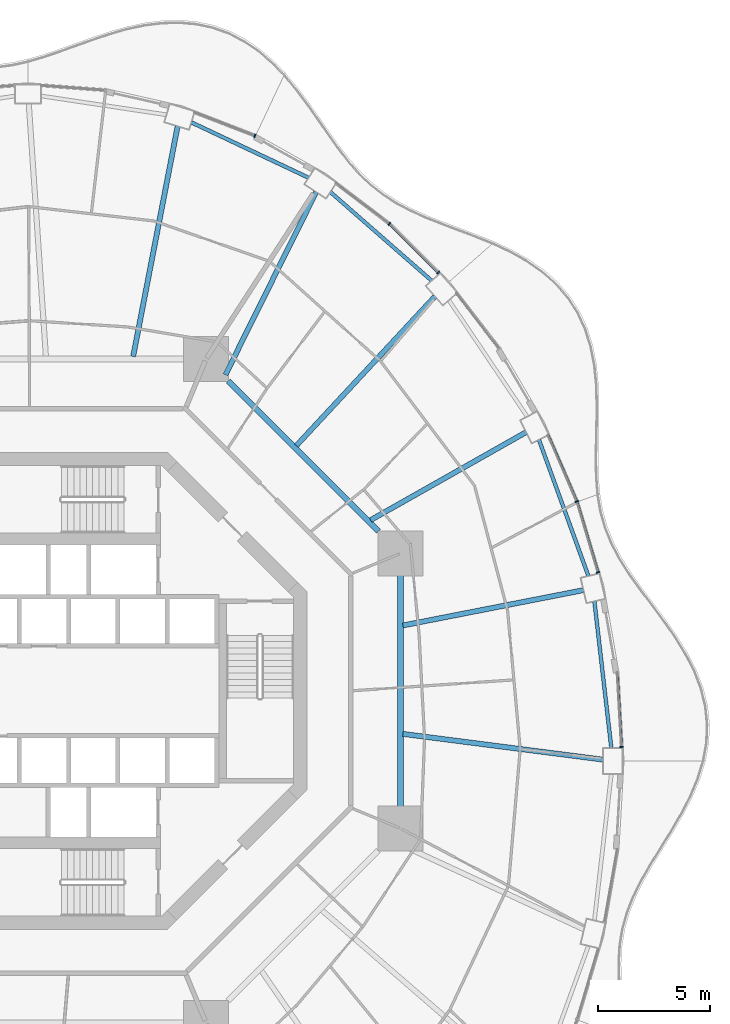
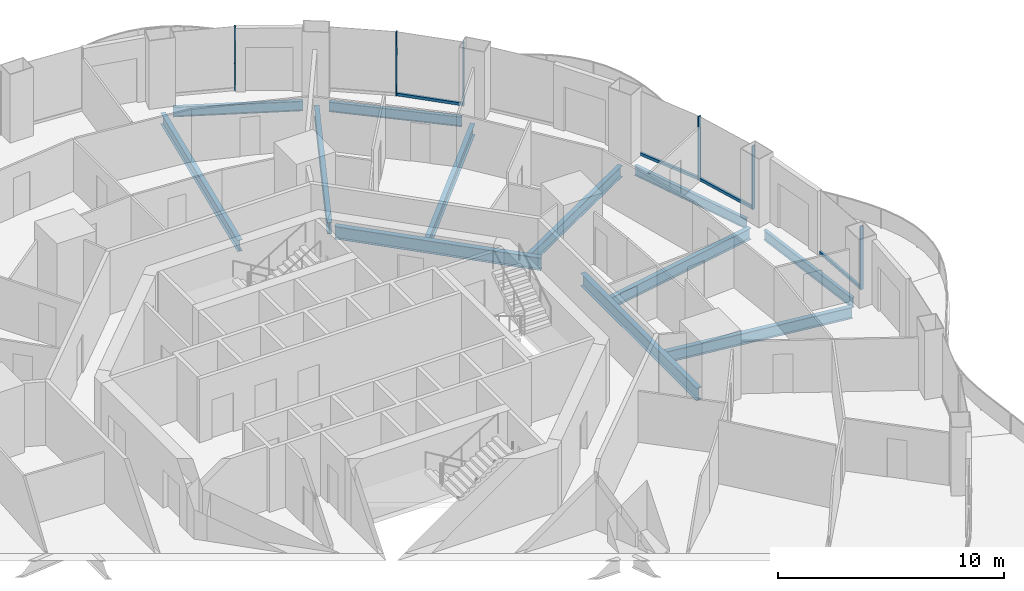
# One storey, part 8 of 20: 12 beams, 10 members, 6 elements without a shape of their own.
"""IFC4 building model written with IfcOpenShell, lengths in metres."""

import ifcopenshell
import ifcopenshell.guid

model = None  # the IFC model being written
_history = None  # IfcOwnerHistory: only IFC2X3 demands one
_inside = {}  # id of a spatial element -> (the spatial element, [elements in it])
_under = {}  # id of a project, library or spatial element -> (it, [spatial elements below it])
_declared = {}  # id of a project -> (the project, [libraries it declares])
_typed = {}  # id of a type object -> (the type object, [elements of that type])
_made_of = {}  # id of a material, layer set ... -> (it, [elements and type objects made of it])


def new_model(schema):
    """Start an empty IFC model of exactly this schema.

    Asked for "IFC4X3", IfcOpenShell would pick the latest addendum, in which some entities
    have other attributes; the version numbers below select the first issue.
    IFC2X3 requires an IfcOwnerHistory on every rooted entity: one is made here for all.
    """
    global model, _history
    if schema == "IFC4X3":
        model = ifcopenshell.file(schema_version=(4, 3, 0, 0))
    else:
        model = ifcopenshell.file(schema=schema)
    _inside.clear()
    _under.clear()
    _declared.clear()
    _typed.clear()
    _made_of.clear()
    _history = None
    if model.schema == "IFC2X3":
        org = make("IfcOrganization", Name="unknown")
        user = make(
            "IfcPersonAndOrganization",
            ThePerson=make("IfcPerson", FamilyName="unknown"),
            TheOrganization=org,
        )
        app = make(
            "IfcApplication",
            ApplicationDeveloper=org,
            Version="unknown",
            ApplicationFullName="unknown",
            ApplicationIdentifier="unknown",
        )
        _history = make(
            "IfcOwnerHistory",
            OwningUser=user,
            OwningApplication=app,
            ChangeAction="ADDED",
            CreationDate=0,
        )
    return model


def make(cls, **values):
    """One entity of the class cls with the attributes given. An attribute that is None is left unset."""
    return model.create_entity(
        cls, **{name: value for name, value in values.items() if value is not None}
    )


def rooted(cls, **values):
    """An entity with a GlobalId (a new one), such as an element, a storey or a relation."""
    return make(cls, GlobalId=ifcopenshell.guid.new(), OwnerHistory=_history, **values)


def si_unit(unit_type, name, prefix=None):
    """IfcSIUnit, for example si_unit("LENGTHUNIT", "METRE", prefix="MILLI")."""
    return make("IfcSIUnit", UnitType=unit_type, Prefix=prefix, Name=name)


def assignment(units):
    """IfcUnitAssignment: the units of a project."""
    return None if units is None else make("IfcUnitAssignment", Units=units)


def point(xyz):
    """IfcCartesianPoint."""
    return None if xyz is None else make("IfcCartesianPoint", Coordinates=xyz)


def direction(xyz):
    """IfcDirection."""
    return None if xyz is None else make("IfcDirection", DirectionRatios=xyz)


def frame(location, z_axis=None, x_axis=None):
    """IfcAxis2Placement3D, a coordinate frame: its origin and axes. An axis left out is left unset."""
    return make(
        "IfcAxis2Placement3D",
        Location=point(location),
        Axis=direction(z_axis),
        RefDirection=direction(x_axis),
    )


def frame_2d(location, x_axis=None):
    """IfcAxis2Placement2D, a coordinate frame in the plane: its origin and x axis."""
    return make(
        "IfcAxis2Placement2D", Location=point(location), RefDirection=direction(x_axis)
    )


def origin():
    """The frame at (0, 0, 0) with its axes left unset."""
    return frame((0.0, 0.0, 0.0))


def origin_2d():
    """The frame at (0, 0) in the plane with its x axis left unset."""
    return frame_2d((0.0, 0.0))


def place(relative_to, where):
    """IfcLocalPlacement: puts the frame where relative to a parent placement (None: the world)."""
    return make(
        "IfcLocalPlacement", PlacementRelTo=relative_to, RelativePlacement=where
    )


def context(
    kind, dimensions, precision=None, world=None, true_north=None, identifier=None
):
    """IfcGeometricRepresentationContext, for example the 3D "Model" context."""
    return make(
        "IfcGeometricRepresentationContext",
        ContextIdentifier=identifier,
        ContextType=kind,
        CoordinateSpaceDimension=dimensions,
        Precision=precision,
        WorldCoordinateSystem=world,
        TrueNorth=true_north,
    )


def subcontext(parent, identifier, kind, view, scale=None):
    """IfcGeometricRepresentationSubContext, for example "Body" below "Model"."""
    return make(
        "IfcGeometricRepresentationSubContext",
        ContextIdentifier=identifier,
        ContextType=kind,
        ParentContext=parent,
        TargetScale=scale,
        TargetView=view,
    )


def project(units=None, contexts=None):
    """IfcProject with its units and contexts."""
    return rooted(
        "IfcProject",
        Name="project",
        RepresentationContexts=contexts,
        UnitsInContext=assignment(units),
    )


def spatial(cls, under=None, at=None, **own):
    """A site, building, storey or space (cls), placed at a placement, below another one or the project."""
    s = rooted(cls, ObjectPlacement=at, **own)
    if under is not None:
        _under.setdefault(under.id(), (under, []))[1].append(s)
    return s


def profile(cls, at=None, kind="AREA", **sizes):
    """A parametric profile (cls). Its sizes go by their IFC names, for example OverallWidth=200.0."""
    return make(cls, ProfileType=kind, Position=at, **sizes)


def rectangle(**sizes):
    """IfcRectangleProfileDef."""
    return profile("IfcRectangleProfileDef", **sizes)


def i_section(**sizes):
    """IfcIShapeProfileDef."""
    return profile("IfcIShapeProfileDef", **sizes)


def extrude(swept, where, along, depth):
    """IfcExtrudedAreaSolid: the profile swept, set in the frame where, extruded along a direction by depth."""
    return make(
        "IfcExtrudedAreaSolid",
        SweptArea=swept,
        Position=where,
        ExtrudedDirection=direction(along),
        Depth=depth,
    )


def shape(context_of_items, identifier, shape_type, items):
    """IfcShapeRepresentation: the items that make up one representation, for example the "Body"."""
    return make(
        "IfcShapeRepresentation",
        ContextOfItems=context_of_items,
        RepresentationIdentifier=identifier,
        RepresentationType=shape_type,
        Items=items,
    )


def material(Name=None, Category=None):
    """IfcMaterial."""
    return make("IfcMaterial", Name=Name, Category=Category)


def layer(
    of_material, thickness, ventilated=None, Name=None, Category=None, Priority=None
):
    """IfcMaterialLayer: one layer of a wall or slab, of a material (None: an air gap)."""
    return make(
        "IfcMaterialLayer",
        Material=of_material,
        LayerThickness=thickness,
        IsVentilated=ventilated,
        Name=Name,
        Category=Category,
        Priority=Priority,
    )


def layer_set(layers, Name=None):
    """IfcMaterialLayerSet."""
    return make("IfcMaterialLayerSet", MaterialLayers=layers, LayerSetName=Name)


def material_profile(
    of_material, cross_section, Name=None, Category=None, Priority=None
):
    """IfcMaterialProfile: a cross section and its material."""
    return make(
        "IfcMaterialProfile",
        Name=Name,
        Material=of_material,
        Profile=cross_section,
        Priority=Priority,
        Category=Category,
    )


def profile_set(profiles, Name=None, composite=None):
    """IfcMaterialProfileSet."""
    return make(
        "IfcMaterialProfileSet",
        Name=Name,
        MaterialProfiles=profiles,
        CompositeProfile=composite,
    )


def made_of(thing, what):
    """Note that an element or type object is made of a material, layer set ...; save() writes the relation."""
    if what is not None:
        _made_of.setdefault(what.id(), (what, []))[1].append(thing)
    return thing


def type_object(cls, material=None, **own):
    """A type object (cls), such as IfcWallType, which elements share."""
    return made_of(rooted(cls, **own), material)


def element(
    cls,
    number,
    at=None,
    inside=None,
    cuts=None,
    type_object=None,
    material=None,
    context=None,
    identifier="Body",
    shape_type=None,
    held_by="IfcProductDefinitionShape",
    body=None,
    shapes=None,
    **own,
):
    """One element of the class cls, such as IfcWall. Its Tag is "e" and its number.

    at: its placement. inside: the storey or other place that contains it. cuts: it is an
    opening in that element (IfcRelVoidsElement). A single representation is given by context,
    identifier, shape_type and body (its items); several are given by shapes. held_by: the class
    of the entity that holds the representations. save() writes the other relations.
    """
    e = rooted(cls, Tag="e%d" % number, ObjectPlacement=at, **own)
    if body is not None:
        shapes = [shape(context, identifier, shape_type, body)]
    if shapes is not None:
        e.Representation = make(held_by, Representations=shapes)
    if inside is not None:
        _inside.setdefault(inside.id(), (inside, []))[1].append(e)
    if cuts is not None:
        rooted(
            "IfcRelVoidsElement", RelatingBuildingElement=cuts, RelatedOpeningElement=e
        )
    if type_object is not None:
        _typed.setdefault(type_object.id(), (type_object, []))[1].append(e)
    return made_of(e, material)


def aggregate(whole, parts):
    """IfcRelAggregates: a whole, such as a stair, and the parts it consists of."""
    return rooted("IfcRelAggregates", RelatingObject=whole, RelatedObjects=parts)


def save(model, path):
    """Write the relations noted so far, then the file.

    IfcRelAggregates (storeys below a building ...), IfcRelContainedInSpatialStructure (elements
    in a storey), IfcRelDefinesByType, IfcRelAssociatesMaterial and IfcRelDeclares: one each for
    every whole, place, type object, material and project.
    """
    for whole, parts in _under.values():
        aggregate(whole, parts)
    for where, things in _inside.values():
        rooted(
            "IfcRelContainedInSpatialStructure",
            RelatedElements=things,
            RelatingStructure=where,
        )
    for kind, things in _typed.values():
        rooted("IfcRelDefinesByType", RelatedObjects=things, RelatingType=kind)
    for what, things in _made_of.values():
        rooted("IfcRelAssociatesMaterial", RelatedObjects=things, RelatingMaterial=what)
    for by, libraries in _declared.values():
        rooted("IfcRelDeclares", RelatingContext=by, RelatedDefinitions=libraries)
    model.write(path)


model = new_model("IFC4")

# Units and contexts
model_context = context("Model", 3, precision=1e-05, world=origin(), true_north=direction((0.0, 1.0)))
body_context = subcontext(model_context, "Body", "Model", "MODEL_VIEW")
ifc_project = project(units=[si_unit("LENGTHUNIT", "METRE"), si_unit("AREAUNIT", "SQUARE_METRE"), si_unit("VOLUMEUNIT", "CUBIC_METRE"), si_unit("PLANEANGLEUNIT", "RADIAN"), si_unit("MASSUNIT", "GRAM", prefix="KILO")], contexts=[model_context])

# Site, building, storey
site_placement = place(None, origin())
site = spatial("IfcSite", under=ifc_project, at=site_placement, CompositionType="ELEMENT")
building_placement = place(site_placement, origin())
building = spatial("IfcBuilding", under=site, at=building_placement, Name="Nagisa Residences", CompositionType="ELEMENT")
storey_placement = place(building_placement, frame((0.0, 0.0, 123.300048828125)))
storey = spatial("IfcBuildingStorey", under=building, at=storey_placement, Name="L30", CompositionType="ELEMENT", Elevation=123.300048828125)

# Curtain wall, member
ifc_material_1 = material(Name="Concrete-coloured aluminium curtain wall system", Category="concrete")
ifc_layer = layer(ifc_material_1, 0.159912109375)
ifc_layer_set = layer_set([ifc_layer], Name="CW1 CURTAIN WALL")
curtain_wall_type = type_object("IfcCurtainWallType", Name="CW1 CURTAIN WALL", PredefinedType="NOTDEFINED", material=ifc_layer_set)
curtain_wall_1_placement = place(storey_placement, origin())
curtain_wall_1 = element("IfcCurtainWall", 1, at=curtain_wall_1_placement, inside=storey, type_object=curtain_wall_type, Name="cw:CW1:L30:00", PredefinedType="NOTDEFINED")
ifc_material_2 = material(Name="Concrete-coloured aluminium", Category="concrete")
ifc_material_profile_1 = material_profile(ifc_material_2, rectangle(XDim=0.159912109375, YDim=0.06005859375, at=origin_2d()), Name="CW1 MULLION 160x60")
ifc_profile_set_1 = profile_set([ifc_material_profile_1], Name="Concrete-coloured aluminium")
member_type_1 = type_object("IfcMemberType", Name="CW1 MULLION 160x60", PredefinedType="MULLION", material=ifc_profile_set_1)
member_1_placement = place(storey_placement, frame((24.618896484375, -2.493408203125, 0.0), z_axis=(0.0, 0.0, 1.0), x_axis=(-0.998345305184, -0.057503492216, 0.0)))
member_1 = element("IfcMember", 2, at=member_1_placement, type_object=member_type_1, Name="CW1 mullion", PredefinedType="MULLION", context=body_context, shape_type="SweptSolid", body=[
    extrude(rectangle(XDim=0.159912109375, YDim=0.06005859375, at=origin_2d()), origin(), (0.0, 0.0, 1.0), 3.43994140625),
])

curtain_wall_2_placement = place(storey_placement, origin())
curtain_wall_2 = element("IfcCurtainWall", 3, at=curtain_wall_2_placement, inside=storey, type_object=curtain_wall_type, Name="cw:CW1:L30:02", PredefinedType="NOTDEFINED")
member_2_placement = place(storey_placement, frame((23.573974609375, 5.278076171875, 0.0), z_axis=(0.0, 0.0, 1.0), x_axis=(-0.958271310082, -0.285860274038, 0.0)))
member_2 = element("IfcMember", 4, at=member_2_placement, type_object=member_type_1, Name="CW1 mullion", PredefinedType="MULLION", context=body_context, shape_type="SweptSolid", body=[
    extrude(rectangle(XDim=0.159912109375, YDim=0.06005859375, at=origin_2d()), origin(), (0.0, 0.0, 1.0), 3.43994140625),
])

curtain_wall_3_placement = place(storey_placement, origin())
curtain_wall_3 = element("IfcCurtainWall", 5, at=curtain_wall_3_placement, inside=storey, type_object=curtain_wall_type, Name="cw:CW1:L30:03", PredefinedType="NOTDEFINED")
member_3_placement = place(storey_placement, frame((22.6298828125, 8.43310546875, 0.0), z_axis=(0.0, 0.0, 1.0), x_axis=(-0.917543276295, -0.397635934147, 0.0)))
member_3 = element("IfcMember", 6, at=member_3_placement, type_object=member_type_1, Name="CW1 mullion", PredefinedType="MULLION", context=body_context, shape_type="SweptSolid", body=[
    extrude(rectangle(XDim=0.159912109375, YDim=0.06005859375, at=origin_2d()), origin(), (0.0, 0.0, 1.0), 3.43994140625),
])

curtain_wall_4_placement = place(storey_placement, origin())
curtain_wall_4 = element("IfcCurtainWall", 7, at=curtain_wall_4_placement, inside=storey, type_object=curtain_wall_type, Name="cw:CW1:L30:06", PredefinedType="NOTDEFINED")
member_4_placement = place(storey_placement, frame((16.460693359375, 18.621826171875, 0.0), z_axis=(0.0, 0.0, 1.0), x_axis=(-0.706376885714, -0.707835924016, 0.0)))
member_4 = element("IfcMember", 8, at=member_4_placement, type_object=member_type_1, Name="CW1 mullion", PredefinedType="MULLION", context=body_context, shape_type="SweptSolid", body=[
    extrude(rectangle(XDim=0.159912109375, YDim=0.06005859375, at=origin_2d()), origin(), (0.0, 0.0, 1.0), 3.43994140625),
])

curtain_wall_5_placement = place(storey_placement, origin())
curtain_wall_5 = element("IfcCurtainWall", 9, at=curtain_wall_5_placement, inside=storey, type_object=curtain_wall_type, Name="cw:CW1:L30:07", PredefinedType="NOTDEFINED")
member_5_placement = place(storey_placement, frame((14.28125, 20.7919921875, 0.0), z_axis=(0.0, 0.0, 1.0), x_axis=(-0.605255421737, -0.79603132756, 0.0)))
member_5 = element("IfcMember", 10, at=member_5_placement, type_object=member_type_1, Name="CW1 mullion", PredefinedType="MULLION", context=body_context, shape_type="SweptSolid", body=[
    extrude(rectangle(XDim=0.159912109375, YDim=0.06005859375, at=origin_2d()), origin(), (0.0, 0.0, 1.0), 3.43994140625),
])
aggregate(curtain_wall_5, [member_5])

curtain_wall_6_placement = place(storey_placement, origin())
curtain_wall_6 = element("IfcCurtainWall", 11, at=curtain_wall_6_placement, inside=storey, type_object=curtain_wall_type, Name="cw:CW1:L30:09", PredefinedType="NOTDEFINED")
member_6_placement = place(storey_placement, frame((8.297607421875, 24.715087890625, 0.0), z_axis=(0.0, 0.0, 1.0), x_axis=(-0.360327770268, -0.932825759707, 0.0)))
member_6 = element("IfcMember", 12, at=member_6_placement, type_object=member_type_1, Name="CW1 mullion", PredefinedType="MULLION", context=body_context, shape_type="SweptSolid", body=[
    extrude(rectangle(XDim=0.159912109375, YDim=0.06005859375, at=origin_2d()), origin(), (0.0, 0.0, 1.0), 3.43994140625),
])
aggregate(curtain_wall_6, [member_6])

# Member
ifc_material_3 = material(Name="Concrete-coloured aluminium", Category="concrete")
ifc_material_profile_2 = material_profile(ifc_material_3, rectangle(XDim=0.1201171875, YDim=0.14990234375, at=origin_2d()), Name="CW1 TRANSOM 120x150")
ifc_profile_set_2 = profile_set([ifc_material_profile_2], Name="Concrete-coloured aluminium")
member_type_2 = type_object("IfcMemberType", Name="CW1 TRANSOM 120x150", PredefinedType="USERDEFINED", material=ifc_profile_set_2)
member_7_placement = place(storey_placement, frame((24.62060546875, -2.523193359375, 0.074951171875), z_axis=(-0.057469329432, 0.998347272333, 0.0), x_axis=(-0.998347272333, -0.057469329432, 0.0)))
member_7 = element("IfcMember", 13, at=member_7_placement, type_object=member_type_2, Name="CW1 transom", ObjectType="TRANSOM", PredefinedType="USERDEFINED", context=body_context, shape_type="SweptSolid", body=[
    extrude(rectangle(XDim=0.1201171875, YDim=0.14990234375, at=origin_2d()), origin(), (0.0, 0.0, 1.0), 3.34765625),
])

aggregate(curtain_wall_1, [member_1, member_7])

member_8_placement = place(storey_placement, frame((23.582763671875, 5.24951171875, 0.074951171875), z_axis=(-0.285909915381, 0.958256500258, 0.0), x_axis=(-0.958256500258, -0.285909915381, 0.0)))
member_8 = element("IfcMember", 14, at=member_8_placement, type_object=member_type_2, Name="CW1 transom", ObjectType="TRANSOM", PredefinedType="USERDEFINED", context=body_context, shape_type="SweptSolid", body=[
    extrude(rectangle(XDim=0.1201171875, YDim=0.14990234375, at=origin_2d()), origin(), (0.0, 0.0, 1.0), 3.302978515625),
])

aggregate(curtain_wall_2, [member_2, member_8])

member_9_placement = place(storey_placement, frame((22.641845703125, 8.405517578125, 0.074951171875), z_axis=(-0.397638954585, 0.917541967321, 0.0), x_axis=(-0.917541967321, -0.397638954585, 0.0)))
member_9 = element("IfcMember", 15, at=member_9_placement, type_object=member_type_2, Name="CW1 transom", ObjectType="TRANSOM", PredefinedType="USERDEFINED", context=body_context, shape_type="SweptSolid", body=[
    extrude(rectangle(XDim=0.1201171875, YDim=0.14990234375, at=origin_2d()), origin(), (0.0, 0.0, 1.0), 3.2607421875),
])

aggregate(curtain_wall_3, [member_3, member_9])

member_10_placement = place(storey_placement, frame((16.48193359375, 18.6005859375, 0.074951171875), z_axis=(-0.707857739375, 0.706355024621, 0.0), x_axis=(-0.706355024621, -0.707857739375, 0.0)))
member_10 = element("IfcMember", 16, at=member_10_placement, type_object=member_type_2, Name="CW1 transom", ObjectType="TRANSOM", PredefinedType="USERDEFINED", context=body_context, shape_type="SweptSolid", body=[
    extrude(rectangle(XDim=0.1201171875, YDim=0.14990234375, at=origin_2d()), origin(), (0.0, 0.0, 1.0), 3.0869140625),
])

aggregate(curtain_wall_4, [member_4, member_10])

# Beams
ifc_material_4 = material(Name="Steel ASTM A572 Gr 50", Category="steel")
ifc_material_profile_3 = material_profile(ifc_material_4, i_section(OverallWidth=0.25390625, OverallDepth=0.68408203125, WebThickness=0.012451171875, FlangeThickness=0.018798828125, at=origin_2d()), Name="W690x140")
ifc_profile_set_3 = profile_set([ifc_material_profile_3], Name="Steel ASTM A572 Gr 50")
beam_type_1 = type_object("IfcBeamType", Name="Inner ring beam W690x140", PredefinedType="BEAM", material=ifc_profile_set_3)
beam_1_placement = place(storey_placement, frame((13.796142578125, 7.10888671875, -0.60205078125), z_axis=(-0.707106781187, 0.707106781187, 0.0), x_axis=(-0.707106781187, -0.707106781187, 0.0)))
element("IfcBeam", 17, at=beam_1_placement, inside=storey, type_object=beam_type_1, Name="beam:L30:ib1", PredefinedType="BEAM", context=body_context, shape_type="SweptSolid", body=[
    extrude(i_section(OverallWidth=0.25390625, OverallDepth=0.68408203125, WebThickness=0.012451171875, FlangeThickness=0.018798828125, at=origin_2d()), origin(), (0.0, 0.0, 1.0), 9.457275390625),
])
beam_2_placement = place(storey_placement, frame((14.781982421875, -5.142822265625, -0.60205078125), z_axis=(0.0, 1.0, 0.0), x_axis=(-1.0, 0.0, 0.0)))
element("IfcBeam", 18, at=beam_2_placement, inside=storey, type_object=beam_type_1, Name="beam:L30:ib8", PredefinedType="BEAM", context=body_context, shape_type="SweptSolid", body=[
    extrude(i_section(OverallWidth=0.25390625, OverallDepth=0.68408203125, WebThickness=0.012451171875, FlangeThickness=0.018798828125, at=origin_2d()), origin(), (0.0, 0.0, 1.0), 10.28564453125),
])
ifc_material_5 = material(Name="Steel ASTM A572 Gr 50", Category="steel")
ifc_material_profile_4 = material_profile(ifc_material_5, i_section(OverallWidth=0.166015625, OverallDepth=0.534912109375, WebThickness=0.01025390625, FlangeThickness=0.0166015625, at=origin_2d()), Name="W530x85")
ifc_profile_set_4 = profile_set([ifc_material_profile_4], Name="Steel ASTM A572 Gr 50")
beam_type_2 = type_object("IfcBeamType", Name="Perimeter ring beam W530x85", PredefinedType="BEAM", material=ifc_profile_set_4)
beam_3_placement = place(storey_placement, frame((24.16796875, -2.53759765625, -0.527587890625), z_axis=(-0.114660786771, 0.993404703017, 0.0), x_axis=(-0.993404703017, -0.114660786771, 0.0)))
element("IfcBeam", 19, at=beam_3_placement, inside=storey, type_object=beam_type_2, Name="beam:L30:pb01", PredefinedType="BEAM", context=body_context, shape_type="SweptSolid", body=[
    extrude(i_section(OverallWidth=0.166015625, OverallDepth=0.534912109375, WebThickness=0.01025390625, FlangeThickness=0.0166015625, at=origin_2d()), origin(), (0.0, 0.0, 1.0), 6.568603515625),
])
beam_4_placement = place(storey_placement, frame((23.1484375, 5.116943359375, -0.527587890625), z_axis=(-0.341332802315, 0.93994250785, 0.0), x_axis=(-0.93994250785, -0.341332802315, 0.0)))
element("IfcBeam", 20, at=beam_4_placement, inside=storey, type_object=beam_type_2, Name="beam:L30:pb02", PredefinedType="BEAM", context=body_context, shape_type="SweptSolid", body=[
    extrude(i_section(OverallWidth=0.166015625, OverallDepth=0.534912109375, WebThickness=0.01025390625, FlangeThickness=0.0166015625, at=origin_2d()), origin(), (0.0, 0.0, 1.0), 6.450927734375),
])
beam_5_placement = place(storey_placement, frame((16.169189453125, 18.26513671875, -0.527587890625), z_axis=(-0.752503526528, 0.658588219272, 0.0), x_axis=(-0.658588219272, -0.752503526528, 0.0)))
element("IfcBeam", 21, at=beam_5_placement, inside=storey, type_object=beam_type_2, Name="beam:L30:pb04", PredefinedType="BEAM", context=body_context, shape_type="SweptSolid", body=[
    extrude(i_section(OverallWidth=0.166015625, OverallDepth=0.534912109375, WebThickness=0.01025390625, FlangeThickness=0.0166015625, at=origin_2d()), origin(), (0.0, 0.0, 1.0), 5.99462890625),
])
beam_6_placement = place(storey_placement, frame((10.687744140625, 22.84912109375, -0.527587890625), z_axis=(-0.904169699539, 0.427173447719, 0.0), x_axis=(-0.427173447719, -0.904169699539, 0.0)))
element("IfcBeam", 22, at=beam_6_placement, inside=storey, type_object=beam_type_2, Name="beam:L30:pb05", PredefinedType="BEAM", context=body_context, shape_type="SweptSolid", body=[
    extrude(i_section(OverallWidth=0.166015625, OverallDepth=0.534912109375, WebThickness=0.01025390625, FlangeThickness=0.0166015625, at=origin_2d()), origin(), (0.0, 0.0, 1.0), 5.7724609375),
])
ifc_material_6 = material(Name="Steel ASTM A572 Gr 50", Category="steel")
ifc_material_profile_5 = material_profile(ifc_material_6, i_section(OverallWidth=0.22900390625, OverallDepth=0.612060546875, WebThickness=0.011962890625, FlangeThickness=0.01953125, at=origin_2d()), Name="W610x125")
ifc_profile_set_5 = profile_set([ifc_material_profile_5], Name="Steel ASTM A572 Gr 50")
beam_type_3 = type_object("IfcBeamType", Name="Radial beam W610x125", PredefinedType="BEAM", material=ifc_profile_set_5)
beam_7_placement = place(storey_placement, frame((23.804931640625, -3.062255859375, -0.566162109375), z_axis=(-0.991829934558, 0.127567162371, 0.0), x_axis=(-0.127567162371, -0.991829934558, 0.0)))
element("IfcBeam", 23, at=beam_7_placement, inside=storey, type_object=beam_type_3, Name="beam:L30:rb01", PredefinedType="BEAM", context=body_context, shape_type="SweptSolid", body=[
    extrude(i_section(OverallWidth=0.22900390625, OverallDepth=0.612060546875, WebThickness=0.011962890625, FlangeThickness=0.01953125, at=origin_2d()), origin(), (0.0, 0.0, 1.0), 8.9892578125),
])
beam_8_placement = place(storey_placement, frame((22.925537109375, 4.4853515625, -0.566162109375), z_axis=(-0.981393143406, -0.192009109355, 0.0), x_axis=(0.192009109355, -0.981393143406, 0.0)))
element("IfcBeam", 24, at=beam_8_placement, inside=storey, type_object=beam_type_3, Name="beam:L30:rb02", PredefinedType="BEAM", context=body_context, shape_type="SweptSolid", body=[
    extrude(i_section(OverallWidth=0.22900390625, OverallDepth=0.612060546875, WebThickness=0.011962890625, FlangeThickness=0.01953125, at=origin_2d()), origin(), (0.0, 0.0, 1.0), 8.1884765625),
])
beam_9_placement = place(storey_placement, frame((20.372314453125, 11.51806640625, -0.566162109375), z_axis=(-0.870505636565, -0.492158446751, 0.0), x_axis=(0.492158446751, -0.870505636565, 0.0)))
element("IfcBeam", 25, at=beam_9_placement, inside=storey, type_object=beam_type_3, Name="beam:L30:rb03", PredefinedType="BEAM", context=body_context, shape_type="SweptSolid", body=[
    extrude(i_section(OverallWidth=0.22900390625, OverallDepth=0.612060546875, WebThickness=0.011962890625, FlangeThickness=0.01953125, at=origin_2d()), origin(), (0.0, 0.0, 1.0), 7.949951171875),
])
beam_10_placement = place(storey_placement, frame((16.315185546875, 17.56298828125, -0.566162109375), z_axis=(-0.680605908425, -0.7326497099, 0.0), x_axis=(0.7326497099, -0.680605908425, 0.0)))
element("IfcBeam", 26, at=beam_10_placement, inside=storey, type_object=beam_type_3, Name="beam:L30:rb04", PredefinedType="BEAM", context=body_context, shape_type="SweptSolid", body=[
    extrude(i_section(OverallWidth=0.22900390625, OverallDepth=0.612060546875, WebThickness=0.011962890625, FlangeThickness=0.01953125, at=origin_2d()), origin(), (0.0, 0.0, 1.0), 9.072509765625),
])
beam_11_placement = place(storey_placement, frame((11.02490234375, 22.2109375, -0.566162109375), z_axis=(-0.444599872799, -0.895729285614, 0.0), x_axis=(0.895729285614, -0.444599872799, 0.0)))
element("IfcBeam", 27, at=beam_11_placement, inside=storey, type_object=beam_type_3, Name="beam:L30:rb05", PredefinedType="BEAM", context=body_context, shape_type="SweptSolid", body=[
    extrude(i_section(OverallWidth=0.22900390625, OverallDepth=0.612060546875, WebThickness=0.011962890625, FlangeThickness=0.01953125, at=origin_2d()), origin(), (0.0, 0.0, 1.0), 9.085693359375),
])
beam_12_placement = place(storey_placement, frame((4.8564453125, 25.140869140625, -0.566162109375), z_axis=(-0.189659094365, -0.981850002762, 0.0), x_axis=(0.981850002762, -0.189659094365, 0.0)))
element("IfcBeam", 28, at=beam_12_placement, inside=storey, type_object=beam_type_3, Name="beam:L30:rb06", PredefinedType="BEAM", context=body_context, shape_type="SweptSolid", body=[
    extrude(i_section(OverallWidth=0.22900390625, OverallDepth=0.612060546875, WebThickness=0.011962890625, FlangeThickness=0.01953125, at=origin_2d()), origin(), (0.0, 0.0, 1.0), 10.44091796875),
])

save(model, "model.ifc")
